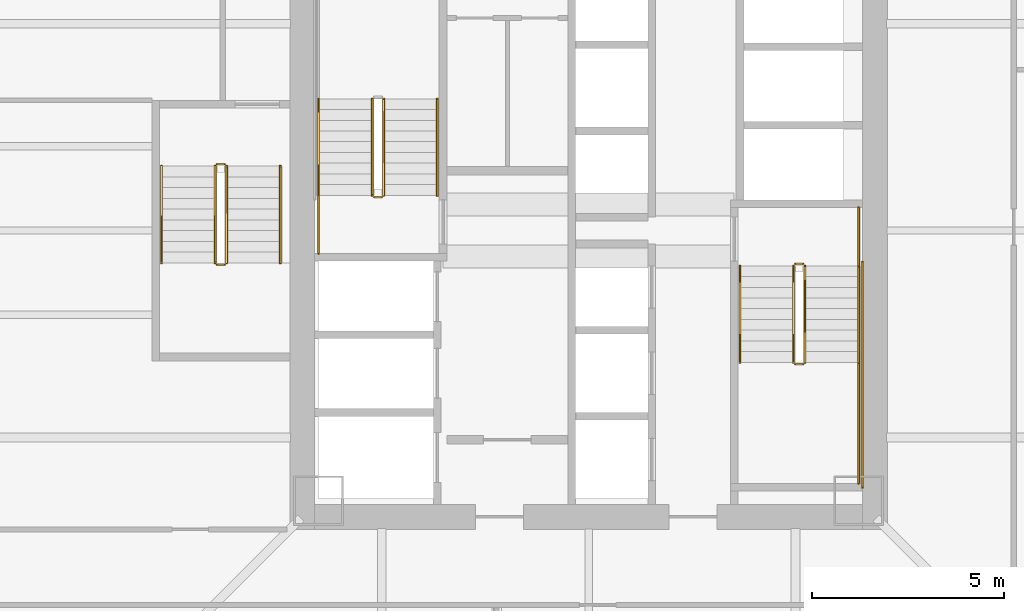
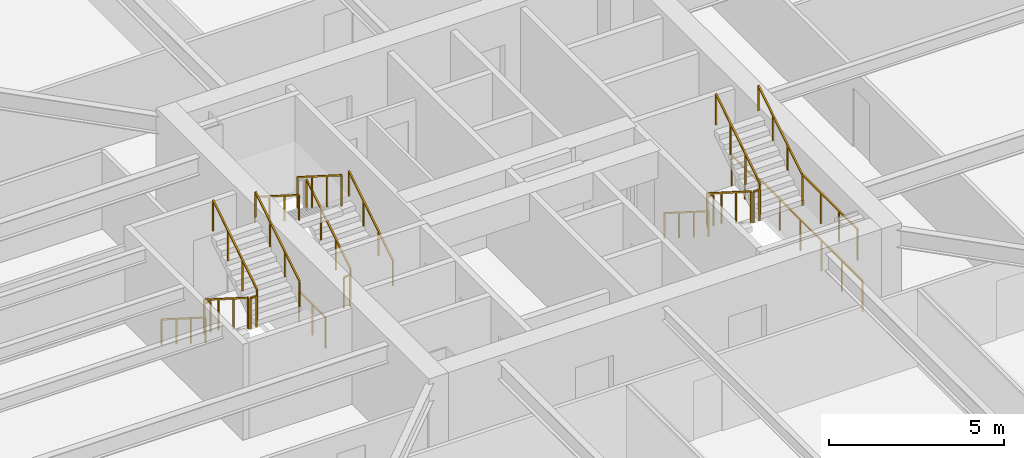
# One storey, part 40 of 46: 21 railings.
"""IFC4 building model written with IfcOpenShell, lengths in metres."""

from ifc_helpers import new_model, si_unit, direction, frame, origin, origin_2d, place, context, subcontext, project, spatial, rectangle, extrude, material, type_object, element, save


model = new_model("IFC4")

# Units and contexts
model_context = context("Model", 3, precision=1e-05, world=origin(), true_north=direction((0.0, 1.0)))
body_context = subcontext(model_context, "Body", "Model", "MODEL_VIEW")
ifc_project = project(units=[si_unit("LENGTHUNIT", "METRE"), si_unit("AREAUNIT", "SQUARE_METRE"), si_unit("VOLUMEUNIT", "CUBIC_METRE"), si_unit("PLANEANGLEUNIT", "RADIAN"), si_unit("MASSUNIT", "GRAM", prefix="KILO")], contexts=[model_context])

# Site, building, storey
site_placement = place(None, origin())
site = spatial("IfcSite", under=ifc_project, at=site_placement, CompositionType="ELEMENT")
building_placement = place(site_placement, origin())
building = spatial("IfcBuilding", under=site, at=building_placement, Name="Tashvorn Skyway Center", CompositionType="ELEMENT")
storey_placement = place(building_placement, frame((0.0, 0.0, 38.800048828125)))
storey = spatial("IfcBuildingStorey", under=building, at=storey_placement, Name="L09", CompositionType="ELEMENT", Elevation=38.800048828125)

# Railings
ifc_material_1 = material(Name="Brushed stainless steel 316", Category="steel")
railing_type_1 = type_object("IfcRailingType", Name="RAIL-HAND-920", PredefinedType="HANDRAIL", material=ifc_material_1)
railing_1_placement = place(storey_placement, frame((38.050048828125, 32.919921875, 0.177490234375)))
element("IfcRailing", 1, at=railing_1_placement, inside=storey, type_object=railing_type_1, Name="L09 ST-T1-1 stair handrail 1", PredefinedType="HANDRAIL", context=body_context, shape_type="SweptSolid", body=[
    extrude(rectangle(XDim=0.048095703125, YDim=0.048095703125, at=origin_2d()), frame((0.0, 0.0, 0.8759765625), z_axis=(0.0, 0.84460694969, 0.535386869969), x_axis=(-1.0, 0.0, 0.0)), (0.0, 0.0, 1.0), 2.983642578125),
    extrude(rectangle(XDim=0.0419921875, YDim=0.0419921875, at=origin_2d()), origin(), (0.0, 0.0, 1.0), 0.851806640625),
    extrude(rectangle(XDim=0.0419921875, YDim=0.0419921875, at=origin_2d()), frame((0.0, 0.840087890625, 0.532470703125)), (0.0, 0.0, 1.0), 0.851806640625),
    extrude(rectangle(XDim=0.0419921875, YDim=0.0419921875, at=origin_2d()), frame((0.0, 1.679931640625, 1.06494140625)), (0.0, 0.0, 1.0), 0.851806640625),
    extrude(rectangle(XDim=0.0419921875, YDim=0.0419921875, at=origin_2d()), frame((0.0, 2.52001953125, 1.597412109375)), (0.0, 0.0, 1.0), 0.851806640625),
])
railing_2_placement = place(storey_placement, frame((34.949951171875, 35.43994140625, 1.952392578125)))
element("IfcRailing", 2, at=railing_2_placement, inside=storey, type_object=railing_type_1, Name="L09 ST-T1-1 stair handrail 2", PredefinedType="HANDRAIL", context=body_context, shape_type="SweptSolid", body=[
    extrude(rectangle(XDim=0.048095703125, YDim=0.048095703125, at=origin_2d()), frame((0.0, 0.0, 0.8759765625), z_axis=(0.0, -0.84456994832, 0.535445237532), x_axis=(1.0, 0.0, 0.0)), (0.0, 0.0, 1.0), 2.98388671875),
    extrude(rectangle(XDim=0.0419921875, YDim=0.0419921875, at=origin_2d()), origin(), (0.0, 0.0, 1.0), 0.851806640625),
    extrude(rectangle(XDim=0.0419921875, YDim=0.0419921875, at=origin_2d()), frame((0.0, -0.840087890625, 0.532470703125)), (0.0, 0.0, 1.0), 0.851806640625),
    extrude(rectangle(XDim=0.0419921875, YDim=0.0419921875, at=origin_2d()), frame((0.0, -1.679931640625, 1.065185546875)), (0.0, 0.0, 1.0), 0.851806640625),
    extrude(rectangle(XDim=0.0419921875, YDim=0.0419921875, at=origin_2d()), frame((0.0, -2.52001953125, 1.59765625)), (0.0, 0.0, 1.0), 0.851806640625),
])
railing_3_placement = place(storey_placement, frame((45.949951171875, 31.080078125, 0.177490234375)))
element("IfcRailing", 3, at=railing_3_placement, inside=storey, type_object=railing_type_1, Name="L09 ST-T1-2 stair handrail 1", PredefinedType="HANDRAIL", context=body_context, shape_type="SweptSolid", body=[
    extrude(rectangle(XDim=0.048095703125, YDim=0.048095703125, at=origin_2d()), frame((0.0, 0.0, 0.8759765625), z_axis=(0.0, -0.84460694969, 0.535386869969), x_axis=(1.0, 0.0, 0.0)), (0.0, 0.0, 1.0), 2.983642578125),
    extrude(rectangle(XDim=0.0419921875, YDim=0.0419921875, at=origin_2d()), origin(), (0.0, 0.0, 1.0), 0.851806640625),
    extrude(rectangle(XDim=0.0419921875, YDim=0.0419921875, at=origin_2d()), frame((0.0, -0.840087890625, 0.532470703125)), (0.0, 0.0, 1.0), 0.851806640625),
    extrude(rectangle(XDim=0.0419921875, YDim=0.0419921875, at=origin_2d()), frame((0.0, -1.679931640625, 1.06494140625)), (0.0, 0.0, 1.0), 0.851806640625),
    extrude(rectangle(XDim=0.0419921875, YDim=0.0419921875, at=origin_2d()), frame((0.0, -2.52001953125, 1.597412109375)), (0.0, 0.0, 1.0), 0.851806640625),
])
railing_4_placement = place(storey_placement, frame((49.050048828125, 28.56005859375, 1.952392578125)))
element("IfcRailing", 4, at=railing_4_placement, inside=storey, type_object=railing_type_1, Name="L09 ST-T1-2 stair handrail 2", PredefinedType="HANDRAIL", context=body_context, shape_type="SweptSolid", body=[
    extrude(rectangle(XDim=0.048095703125, YDim=0.048095703125, at=origin_2d()), frame((0.0, 0.0, 0.8759765625), z_axis=(0.0, 0.84456994832, 0.535445237532), x_axis=(-1.0, 0.0, 0.0)), (0.0, 0.0, 1.0), 2.98388671875),
    extrude(rectangle(XDim=0.0419921875, YDim=0.0419921875, at=origin_2d()), origin(), (0.0, 0.0, 1.0), 0.851806640625),
    extrude(rectangle(XDim=0.0419921875, YDim=0.0419921875, at=origin_2d()), frame((0.0, 0.840087890625, 0.532470703125)), (0.0, 0.0, 1.0), 0.851806640625),
    extrude(rectangle(XDim=0.0419921875, YDim=0.0419921875, at=origin_2d()), frame((0.0, 1.679931640625, 1.065185546875)), (0.0, 0.0, 1.0), 0.851806640625),
    extrude(rectangle(XDim=0.0419921875, YDim=0.0419921875, at=origin_2d()), frame((0.0, 2.52001953125, 1.59765625)), (0.0, 0.0, 1.0), 0.851806640625),
])
railing_5_placement = place(storey_placement, frame((30.85009765625, 33.679931640625, 0.177490234375)))
element("IfcRailing", 5, at=railing_5_placement, inside=storey, type_object=railing_type_1, Name="L09 ST-T1-3 stair handrail 1", PredefinedType="HANDRAIL", context=body_context, shape_type="SweptSolid", body=[
    extrude(rectangle(XDim=0.048095703125, YDim=0.048095703125, at=origin_2d()), frame((0.0, 0.0, 0.8759765625), z_axis=(0.0, -0.84460694969, 0.535386869969), x_axis=(1.0, 0.0, 0.0)), (0.0, 0.0, 1.0), 2.983642578125),
    extrude(rectangle(XDim=0.0419921875, YDim=0.0419921875, at=origin_2d()), origin(), (0.0, 0.0, 1.0), 0.851806640625),
    extrude(rectangle(XDim=0.0419921875, YDim=0.0419921875, at=origin_2d()), frame((0.0, -0.840087890625, 0.532470703125)), (0.0, 0.0, 1.0), 0.851806640625),
    extrude(rectangle(XDim=0.0419921875, YDim=0.0419921875, at=origin_2d()), frame((0.0, -1.679931640625, 1.06494140625)), (0.0, 0.0, 1.0), 0.851806640625),
    extrude(rectangle(XDim=0.0419921875, YDim=0.0419921875, at=origin_2d()), frame((0.0, -2.52001953125, 1.597412109375)), (0.0, 0.0, 1.0), 0.851806640625),
])
railing_6_placement = place(storey_placement, frame((33.949951171875, 31.159912109375, 1.952392578125)))
element("IfcRailing", 6, at=railing_6_placement, inside=storey, type_object=railing_type_1, Name="L09 ST-T1-3 stair handrail 2", PredefinedType="HANDRAIL", context=body_context, shape_type="SweptSolid", body=[
    extrude(rectangle(XDim=0.048095703125, YDim=0.048095703125, at=origin_2d()), frame((0.0, 0.0, 0.8759765625), z_axis=(0.0, 0.84456994832, 0.535445237532), x_axis=(-1.0, 0.0, 0.0)), (0.0, 0.0, 1.0), 2.98388671875),
    extrude(rectangle(XDim=0.0419921875, YDim=0.0419921875, at=origin_2d()), origin(), (0.0, 0.0, 1.0), 0.851806640625),
    extrude(rectangle(XDim=0.0419921875, YDim=0.0419921875, at=origin_2d()), frame((0.0, 0.840087890625, 0.532470703125)), (0.0, 0.0, 1.0), 0.851806640625),
    extrude(rectangle(XDim=0.0419921875, YDim=0.0419921875, at=origin_2d()), frame((0.0, 1.679931640625, 1.065185546875)), (0.0, 0.0, 1.0), 0.851806640625),
    extrude(rectangle(XDim=0.0419921875, YDim=0.0419921875, at=origin_2d()), frame((0.0, 2.52001953125, 1.59765625)), (0.0, 0.0, 1.0), 0.851806640625),
])
ifc_material_2 = material(Name="Painted galvanized steel S355", Category="steel")
railing_type_2 = type_object("IfcRailingType", Name="RAIL-STGUARD-1100", PredefinedType="GUARDRAIL", material=ifc_material_2)
railing_7_placement = place(storey_placement, frame((36.64990234375, 32.919921875, 0.177490234375)))
element("IfcRailing", 7, at=railing_7_placement, inside=storey, type_object=railing_type_2, Name="L09 ST-T1-1 stair guard 1", PredefinedType="GUARDRAIL", context=body_context, shape_type="SweptSolid", body=[
    extrude(rectangle(XDim=0.048095703125, YDim=0.048095703125, at=origin_2d()), frame((0.0, 0.0, 1.076171875), z_axis=(0.0, 0.84460694969, 0.535386869969), x_axis=(-1.0, 0.0, 0.0)), (0.0, 0.0, 1.0), 2.983642578125),
    extrude(rectangle(XDim=0.0419921875, YDim=0.0419921875, at=origin_2d()), origin(), (0.0, 0.0, 1.0), 1.052001953125),
    extrude(rectangle(XDim=0.0419921875, YDim=0.0419921875, at=origin_2d()), frame((0.0, 0.840087890625, 0.532470703125)), (0.0, 0.0, 1.0), 1.052001953125),
    extrude(rectangle(XDim=0.0419921875, YDim=0.0419921875, at=origin_2d()), frame((0.0, 1.679931640625, 1.06494140625)), (0.0, 0.0, 1.0), 1.052001953125),
    extrude(rectangle(XDim=0.0419921875, YDim=0.0419921875, at=origin_2d()), frame((0.0, 2.52001953125, 1.597412109375)), (0.0, 0.0, 1.0), 1.052001953125),
])
railing_8_placement = place(storey_placement, frame((36.35009765625, 35.43994140625, 1.952392578125)))
element("IfcRailing", 8, at=railing_8_placement, inside=storey, type_object=railing_type_2, Name="L09 ST-T1-1 stair guard 4", PredefinedType="GUARDRAIL", context=body_context, shape_type="SweptSolid", body=[
    extrude(rectangle(XDim=0.048095703125, YDim=0.048095703125, at=origin_2d()), frame((0.0, 0.0, 1.076171875), z_axis=(0.0, -0.84456994832, 0.535445237532), x_axis=(1.0, 0.0, 0.0)), (0.0, 0.0, 1.0), 2.98388671875),
    extrude(rectangle(XDim=0.0419921875, YDim=0.0419921875, at=origin_2d()), origin(), (0.0, 0.0, 1.0), 1.052001953125),
    extrude(rectangle(XDim=0.0419921875, YDim=0.0419921875, at=origin_2d()), frame((0.0, -0.840087890625, 0.532470703125)), (0.0, 0.0, 1.0), 1.052001953125),
    extrude(rectangle(XDim=0.0419921875, YDim=0.0419921875, at=origin_2d()), frame((0.0, -1.679931640625, 1.065185546875)), (0.0, 0.0, 1.0), 1.052001953125),
    extrude(rectangle(XDim=0.0419921875, YDim=0.0419921875, at=origin_2d()), frame((0.0, -2.52001953125, 1.59765625)), (0.0, 0.0, 1.0), 1.052001953125),
])
railing_9_placement = place(storey_placement, frame((36.60009765625, 32.8701171875, 0.0)))
element("IfcRailing", 9, at=railing_9_placement, inside=storey, type_object=railing_type_2, Name="L09 ST-T1-1 stair guard 5", PredefinedType="GUARDRAIL", context=body_context, shape_type="SweptSolid", body=[
    extrude(rectangle(XDim=0.048095703125, YDim=0.048095703125, at=origin_2d()), frame((0.0, 0.0, 1.076171875), z_axis=(-1.0, 0.0, 0.0), x_axis=(0.0, -1.0, 0.0)), (0.0, 0.0, 1.0), 0.2001953125),
    extrude(rectangle(XDim=0.0419921875, YDim=0.0419921875, at=origin_2d()), origin(), (0.0, 0.0, 1.0), 1.052001953125),
    extrude(rectangle(XDim=0.0419921875, YDim=0.0419921875, at=origin_2d()), frame((-0.2001953125, 0.0, 0.0)), (0.0, 0.0, 1.0), 1.052001953125),
])
railing_10_placement = place(storey_placement, frame((34.949951171875, 31.39990234375, 0.0)))
element("IfcRailing", 10, at=railing_10_placement, inside=storey, type_object=railing_type_2, Name="L09 ST-T1-1 stair guard 6", PredefinedType="GUARDRAIL", context=body_context, shape_type="SweptSolid", body=[
    extrude(rectangle(XDim=0.048095703125, YDim=0.048095703125, at=origin_2d()), frame((0.0, 0.0, 1.076171875), z_axis=(0.0, 1.0, 0.0), x_axis=(-1.0, 0.0, 0.0)), (0.0, 0.0, 1.0), 1.52001953125),
    extrude(rectangle(XDim=0.0419921875, YDim=0.0419921875, at=origin_2d()), origin(), (0.0, 0.0, 1.0), 1.052001953125),
    extrude(rectangle(XDim=0.0419921875, YDim=0.0419921875, at=origin_2d()), frame((0.0, 0.760009765625, 0.0)), (0.0, 0.0, 1.0), 1.052001953125),
    extrude(rectangle(XDim=0.0419921875, YDim=0.0419921875, at=origin_2d()), frame((0.0, 1.52001953125, 0.0)), (0.0, 0.0, 1.0), 1.052001953125),
])
railing_11_placement = place(storey_placement, frame((47.35009765625, 31.080078125, 0.177490234375)))
element("IfcRailing", 11, at=railing_11_placement, inside=storey, type_object=railing_type_2, Name="L09 ST-T1-2 stair guard 1", PredefinedType="GUARDRAIL", context=body_context, shape_type="SweptSolid", body=[
    extrude(rectangle(XDim=0.048095703125, YDim=0.048095703125, at=origin_2d()), frame((0.0, 0.0, 1.076171875), z_axis=(0.0, -0.84460694969, 0.535386869969), x_axis=(1.0, 0.0, 0.0)), (0.0, 0.0, 1.0), 2.983642578125),
    extrude(rectangle(XDim=0.0419921875, YDim=0.0419921875, at=origin_2d()), origin(), (0.0, 0.0, 1.0), 1.052001953125),
    extrude(rectangle(XDim=0.0419921875, YDim=0.0419921875, at=origin_2d()), frame((0.0, -0.840087890625, 0.532470703125)), (0.0, 0.0, 1.0), 1.052001953125),
    extrude(rectangle(XDim=0.0419921875, YDim=0.0419921875, at=origin_2d()), frame((0.0, -1.679931640625, 1.06494140625)), (0.0, 0.0, 1.0), 1.052001953125),
    extrude(rectangle(XDim=0.0419921875, YDim=0.0419921875, at=origin_2d()), frame((0.0, -2.52001953125, 1.597412109375)), (0.0, 0.0, 1.0), 1.052001953125),
])
railing_12_placement = place(storey_placement, frame((47.39990234375, 28.510009765625, 1.77490234375)))
element("IfcRailing", 12, at=railing_12_placement, inside=storey, type_object=railing_type_2, Name="L09 ST-T1-2 stair guard 2", PredefinedType="GUARDRAIL", context=body_context, shape_type="SweptSolid", body=[
    extrude(rectangle(XDim=0.048095703125, YDim=0.048095703125, at=origin_2d()), frame((0.0, 0.0, 1.076171875), z_axis=(1.0, 0.0, 0.0), x_axis=(0.0, 1.0, 0.0)), (0.0, 0.0, 1.0), 0.2001953125),
    extrude(rectangle(XDim=0.0419921875, YDim=0.0419921875, at=origin_2d()), origin(), (0.0, 0.0, 1.0), 1.052001953125),
    extrude(rectangle(XDim=0.0419921875, YDim=0.0419921875, at=origin_2d()), frame((0.2001953125, 0.0, 0.0)), (0.0, 0.0, 1.0), 1.052001953125),
])
railing_13_placement = place(storey_placement, frame((49.050048828125, 28.56005859375, 1.77490234375)))
element("IfcRailing", 13, at=railing_13_placement, inside=storey, type_object=railing_type_2, Name="L09 ST-T1-2 stair guard 3", PredefinedType="GUARDRAIL", context=body_context, shape_type="SweptSolid", body=[
    extrude(rectangle(XDim=0.048095703125, YDim=0.048095703125, at=origin_2d()), frame((0.0, 0.0, 1.076171875), z_axis=(0.0, -1.0, 0.0), x_axis=(1.0, 0.0, 0.0)), (0.0, 0.0, 1.0), 3.16015625),
    extrude(rectangle(XDim=0.0419921875, YDim=0.0419921875, at=origin_2d()), origin(), (0.0, 0.0, 1.0), 1.052001953125),
    extrude(rectangle(XDim=0.0419921875, YDim=0.0419921875, at=origin_2d()), frame((0.0, -1.053466796875, 0.0)), (0.0, 0.0, 1.0), 1.052001953125),
    extrude(rectangle(XDim=0.0419921875, YDim=0.0419921875, at=origin_2d()), frame((0.0, -2.106689453125, 0.0)), (0.0, 0.0, 1.0), 1.052001953125),
    extrude(rectangle(XDim=0.0419921875, YDim=0.0419921875, at=origin_2d()), frame((0.0, -3.16015625, 0.0)), (0.0, 0.0, 1.0), 1.052001953125),
])
railing_14_placement = place(storey_placement, frame((47.64990234375, 28.56005859375, 1.952392578125)))
element("IfcRailing", 14, at=railing_14_placement, inside=storey, type_object=railing_type_2, Name="L09 ST-T1-2 stair guard 4", PredefinedType="GUARDRAIL", context=body_context, shape_type="SweptSolid", body=[
    extrude(rectangle(XDim=0.048095703125, YDim=0.048095703125, at=origin_2d()), frame((0.0, 0.0, 1.076171875), z_axis=(0.0, 0.84456994832, 0.535445237532), x_axis=(-1.0, 0.0, 0.0)), (0.0, 0.0, 1.0), 2.98388671875),
    extrude(rectangle(XDim=0.0419921875, YDim=0.0419921875, at=origin_2d()), origin(), (0.0, 0.0, 1.0), 1.052001953125),
    extrude(rectangle(XDim=0.0419921875, YDim=0.0419921875, at=origin_2d()), frame((0.0, 0.840087890625, 0.532470703125)), (0.0, 0.0, 1.0), 1.052001953125),
    extrude(rectangle(XDim=0.0419921875, YDim=0.0419921875, at=origin_2d()), frame((0.0, 1.679931640625, 1.065185546875)), (0.0, 0.0, 1.0), 1.052001953125),
    extrude(rectangle(XDim=0.0419921875, YDim=0.0419921875, at=origin_2d()), frame((0.0, 2.52001953125, 1.59765625)), (0.0, 0.0, 1.0), 1.052001953125),
])
railing_15_placement = place(storey_placement, frame((47.39990234375, 31.1298828125, 0.0)))
element("IfcRailing", 15, at=railing_15_placement, inside=storey, type_object=railing_type_2, Name="L09 ST-T1-2 stair guard 5", PredefinedType="GUARDRAIL", context=body_context, shape_type="SweptSolid", body=[
    extrude(rectangle(XDim=0.048095703125, YDim=0.048095703125, at=origin_2d()), frame((0.0, 0.0, 1.076171875), z_axis=(1.0, 0.0, 0.0), x_axis=(0.0, 1.0, 0.0)), (0.0, 0.0, 1.0), 0.2001953125),
    extrude(rectangle(XDim=0.0419921875, YDim=0.0419921875, at=origin_2d()), origin(), (0.0, 0.0, 1.0), 1.052001953125),
    extrude(rectangle(XDim=0.0419921875, YDim=0.0419921875, at=origin_2d()), frame((0.2001953125, 0.0, 0.0)), (0.0, 0.0, 1.0), 1.052001953125),
])
railing_16_placement = place(storey_placement, frame((49.050048828125, 32.60009765625, 0.0)))
element("IfcRailing", 16, at=railing_16_placement, inside=storey, type_object=railing_type_2, Name="L09 ST-T1-2 stair guard 6", PredefinedType="GUARDRAIL", context=body_context, shape_type="SweptSolid", body=[
    extrude(rectangle(XDim=0.048095703125, YDim=0.048095703125, at=origin_2d()), frame((0.0, 0.0, 1.076171875), z_axis=(0.0, -1.0, 0.0), x_axis=(1.0, 0.0, 0.0)), (0.0, 0.0, 1.0), 1.52001953125),
    extrude(rectangle(XDim=0.0419921875, YDim=0.0419921875, at=origin_2d()), origin(), (0.0, 0.0, 1.0), 1.052001953125),
    extrude(rectangle(XDim=0.0419921875, YDim=0.0419921875, at=origin_2d()), frame((0.0, -0.760009765625, 0.0)), (0.0, 0.0, 1.0), 1.052001953125),
    extrude(rectangle(XDim=0.0419921875, YDim=0.0419921875, at=origin_2d()), frame((0.0, -1.52001953125, 0.0)), (0.0, 0.0, 1.0), 1.052001953125),
])
railing_17_placement = place(storey_placement, frame((49.14990234375, 31.179931640625, 0.0)))
element("IfcRailing", 17, at=railing_17_placement, inside=storey, type_object=railing_type_2, Name="L09 ST-T1-2 stair guard 7", PredefinedType="GUARDRAIL", context=body_context, shape_type="SweptSolid", body=[
    extrude(rectangle(XDim=0.048095703125, YDim=0.048095703125, at=origin_2d()), frame((0.0, 0.0, 1.076171875), z_axis=(0.0, -1.0, 0.0), x_axis=(1.0, 0.0, 0.0)), (0.0, 0.0, 1.0), 5.8798828125),
    extrude(rectangle(XDim=0.0419921875, YDim=0.0419921875, at=origin_2d()), origin(), (0.0, 0.0, 1.0), 1.052001953125),
    extrude(rectangle(XDim=0.0419921875, YDim=0.0419921875, at=origin_2d()), frame((0.0, -1.176025390625, 0.0)), (0.0, 0.0, 1.0), 1.052001953125),
    extrude(rectangle(XDim=0.0419921875, YDim=0.0419921875, at=origin_2d()), frame((0.0, -2.35205078125, 0.0)), (0.0, 0.0, 1.0), 1.052001953125),
    extrude(rectangle(XDim=0.0419921875, YDim=0.0419921875, at=origin_2d()), frame((0.0, -3.52783203125, 0.0)), (0.0, 0.0, 1.0), 1.052001953125),
    extrude(rectangle(XDim=0.0419921875, YDim=0.0419921875, at=origin_2d()), frame((0.0, -4.703857421875, 0.0)), (0.0, 0.0, 1.0), 1.052001953125),
    extrude(rectangle(XDim=0.0419921875, YDim=0.0419921875, at=origin_2d()), frame((0.0, -5.8798828125, 0.0)), (0.0, 0.0, 1.0), 1.052001953125),
])
railing_18_placement = place(storey_placement, frame((32.25, 33.679931640625, 0.177490234375)))
element("IfcRailing", 18, at=railing_18_placement, inside=storey, type_object=railing_type_2, Name="L09 ST-T1-3 stair guard 1", PredefinedType="GUARDRAIL", context=body_context, shape_type="SweptSolid", body=[
    extrude(rectangle(XDim=0.048095703125, YDim=0.048095703125, at=origin_2d()), frame((0.0, 0.0, 1.076171875), z_axis=(0.0, -0.84460694969, 0.535386869969), x_axis=(1.0, 0.0, 0.0)), (0.0, 0.0, 1.0), 2.983642578125),
    extrude(rectangle(XDim=0.0419921875, YDim=0.0419921875, at=origin_2d()), origin(), (0.0, 0.0, 1.0), 1.052001953125),
    extrude(rectangle(XDim=0.0419921875, YDim=0.0419921875, at=origin_2d()), frame((0.0, -0.840087890625, 0.532470703125)), (0.0, 0.0, 1.0), 1.052001953125),
    extrude(rectangle(XDim=0.0419921875, YDim=0.0419921875, at=origin_2d()), frame((0.0, -1.679931640625, 1.06494140625)), (0.0, 0.0, 1.0), 1.052001953125),
    extrude(rectangle(XDim=0.0419921875, YDim=0.0419921875, at=origin_2d()), frame((0.0, -2.52001953125, 1.597412109375)), (0.0, 0.0, 1.0), 1.052001953125),
])
railing_19_placement = place(storey_placement, frame((32.300048828125, 31.110107421875, 1.77490234375)))
element("IfcRailing", 19, at=railing_19_placement, inside=storey, type_object=railing_type_2, Name="L09 ST-T1-3 stair guard 2", PredefinedType="GUARDRAIL", context=body_context, shape_type="SweptSolid", body=[
    extrude(rectangle(XDim=0.048095703125, YDim=0.048095703125, at=origin_2d()), frame((0.0, 0.0, 1.076171875), z_axis=(1.0, 0.0, 0.0), x_axis=(0.0, 1.0, 0.0)), (0.0, 0.0, 1.0), 0.199951171875),
    extrude(rectangle(XDim=0.0419921875, YDim=0.0419921875, at=origin_2d()), origin(), (0.0, 0.0, 1.0), 1.052001953125),
    extrude(rectangle(XDim=0.0419921875, YDim=0.0419921875, at=origin_2d()), frame((0.199951171875, 0.0, 0.0)), (0.0, 0.0, 1.0), 1.052001953125),
])
railing_20_placement = place(storey_placement, frame((32.550048828125, 31.159912109375, 1.952392578125)))
element("IfcRailing", 20, at=railing_20_placement, inside=storey, type_object=railing_type_2, Name="L09 ST-T1-3 stair guard 3", PredefinedType="GUARDRAIL", context=body_context, shape_type="SweptSolid", body=[
    extrude(rectangle(XDim=0.048095703125, YDim=0.048095703125, at=origin_2d()), frame((0.0, 0.0, 1.076171875), z_axis=(0.0, 0.84456994832, 0.535445237532), x_axis=(-1.0, 0.0, 0.0)), (0.0, 0.0, 1.0), 2.98388671875),
    extrude(rectangle(XDim=0.0419921875, YDim=0.0419921875, at=origin_2d()), origin(), (0.0, 0.0, 1.0), 1.052001953125),
    extrude(rectangle(XDim=0.0419921875, YDim=0.0419921875, at=origin_2d()), frame((0.0, 0.840087890625, 0.532470703125)), (0.0, 0.0, 1.0), 1.052001953125),
    extrude(rectangle(XDim=0.0419921875, YDim=0.0419921875, at=origin_2d()), frame((0.0, 1.679931640625, 1.065185546875)), (0.0, 0.0, 1.0), 1.052001953125),
    extrude(rectangle(XDim=0.0419921875, YDim=0.0419921875, at=origin_2d()), frame((0.0, 2.52001953125, 1.59765625)), (0.0, 0.0, 1.0), 1.052001953125),
])
railing_21_placement = place(storey_placement, frame((32.300048828125, 33.72998046875, 0.0)))
element("IfcRailing", 21, at=railing_21_placement, inside=storey, type_object=railing_type_2, Name="L09 ST-T1-3 stair guard 4", PredefinedType="GUARDRAIL", context=body_context, shape_type="SweptSolid", body=[
    extrude(rectangle(XDim=0.048095703125, YDim=0.048095703125, at=origin_2d()), frame((0.0, 0.0, 1.076171875), z_axis=(1.0, 0.0, 0.0), x_axis=(0.0, 1.0, 0.0)), (0.0, 0.0, 1.0), 0.199951171875),
    extrude(rectangle(XDim=0.0419921875, YDim=0.0419921875, at=origin_2d()), origin(), (0.0, 0.0, 1.0), 1.052001953125),
    extrude(rectangle(XDim=0.0419921875, YDim=0.0419921875, at=origin_2d()), frame((0.199951171875, 0.0, 0.0)), (0.0, 0.0, 1.0), 1.052001953125),
])

save(model, "model.ifc")
